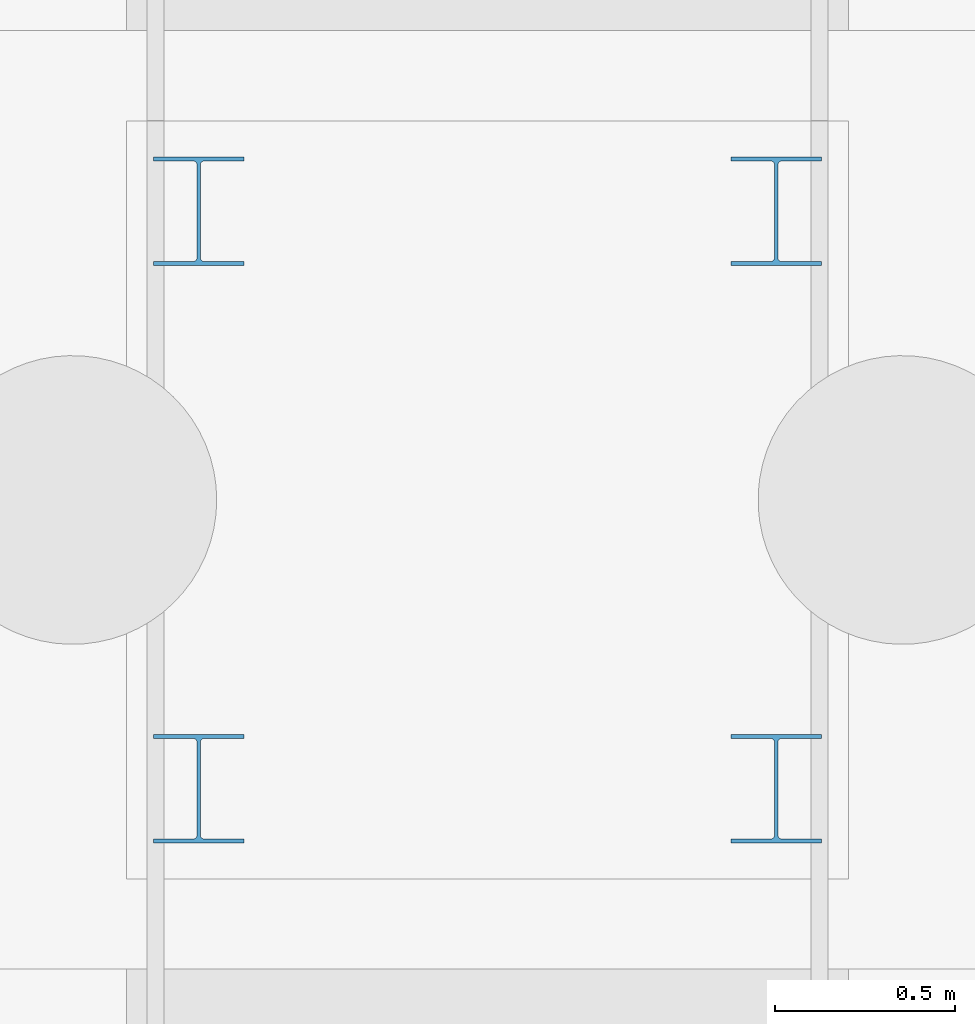
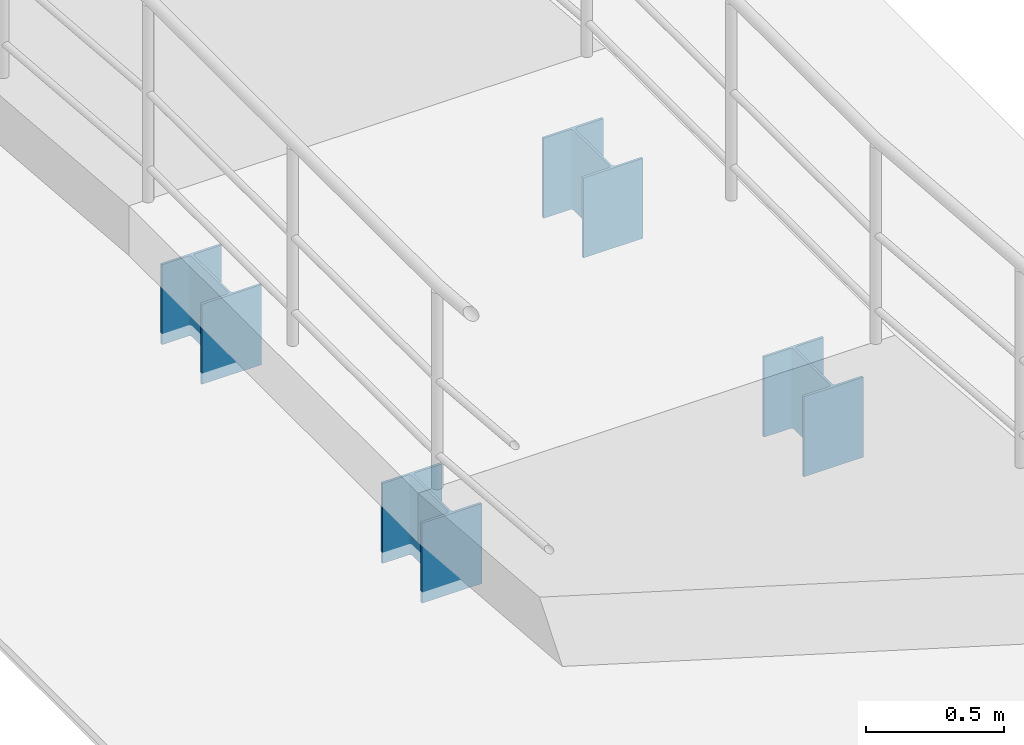
# One storey, part 25 of 147: 4 columns.
"""IFC4 building model written with IfcOpenShell, lengths in metres."""

from ifc_helpers import new_model, si_unit, direction, frame, origin, origin_2d, place, context, subcontext, project, spatial, i_section, extrude, material, material_profile, profile_set, type_object, element, save


model = new_model("IFC4")

# Units and contexts
model_context = context("Model", 3, precision=1e-05, world=origin(), true_north=direction((0.0, 1.0)))
body_context = subcontext(model_context, "Body", "Model", "MODEL_VIEW")
ifc_project = project(units=[si_unit("LENGTHUNIT", "METRE"), si_unit("AREAUNIT", "SQUARE_METRE"), si_unit("VOLUMEUNIT", "CUBIC_METRE"), si_unit("PLANEANGLEUNIT", "RADIAN"), si_unit("MASSUNIT", "GRAM", prefix="KILO")], contexts=[model_context])

# Site, building, storey
site_placement = place(None, origin())
site = spatial("IfcSite", under=ifc_project, at=site_placement, CompositionType="ELEMENT")
building_placement = place(site_placement, origin())
building = spatial("IfcBuilding", under=site, at=building_placement, Name="Varnabhumi Central Station", CompositionType="ELEMENT")
storey_placement = place(building_placement, origin())
storey = spatial("IfcBuildingStorey", under=building, at=storey_placement, Name="L00", CompositionType="ELEMENT", Elevation=0.0)

# Columns
ifc_material = material(Name="Structural steel E350", Category="steel")
ifc_material_profile = material_profile(ifc_material, i_section(OverallWidth=0.25, OverallDepth=0.300048828125, WebThickness=0.009521484375, FlangeThickness=0.010498046875, FilletRadius=0.010986328125, at=origin_2d()), Name="Structural steel E350", Category="steel")
ifc_profile_set = profile_set([ifc_material_profile], Name="Structural steel E350")
column_type = type_object("IfcColumnType", Name="COL-GALLERY-ISHB300", PredefinedType="COLUMN", material=ifc_profile_set)
for number, where, z_axis, x_axis, name in (
    (1, (19.199951171875, 128.64990234375, -1.10009765625), (0.0, 0.0, 1.0), (1.0, 0.0, 0.0), "RMP-NB-E Landing Pier 1"),
    (2, (20.800048828125, 128.64990234375, -1.10009765625), (0.0, 0.0, 1.0), (1.0, 0.0, 0.0), "RMP-NB-E Landing Pier 2"),
    (3, (19.199951171875, 127.050048828125, -1.10009765625), (0.0, 0.0, 1.0), (1.0, 0.0, 0.0), "RMP-NB-E Landing Pier 3"),
    (4, (20.800048828125, 127.050048828125, -1.10009765625), (0.0, 0.0, 1.0), (1.0, 0.0, 0.0), "RMP-NB-E Landing Pier 4"),
):
    element("IfcColumn", number, at=place(storey_placement, frame(where, z_axis=z_axis, x_axis=x_axis)), inside=storey, type_object=column_type, Name=name, PredefinedType="COLUMN", context=body_context, shape_type="SweptSolid", body=[
        extrude(i_section(OverallWidth=0.25, OverallDepth=0.300048828125, WebThickness=0.009521484375, FlangeThickness=0.010498046875, FilletRadius=0.010986328125, at=origin_2d()), origin(), (0.0, 0.0, 1.0), 0.35498046875),
    ])

save(model, "model.ifc")
